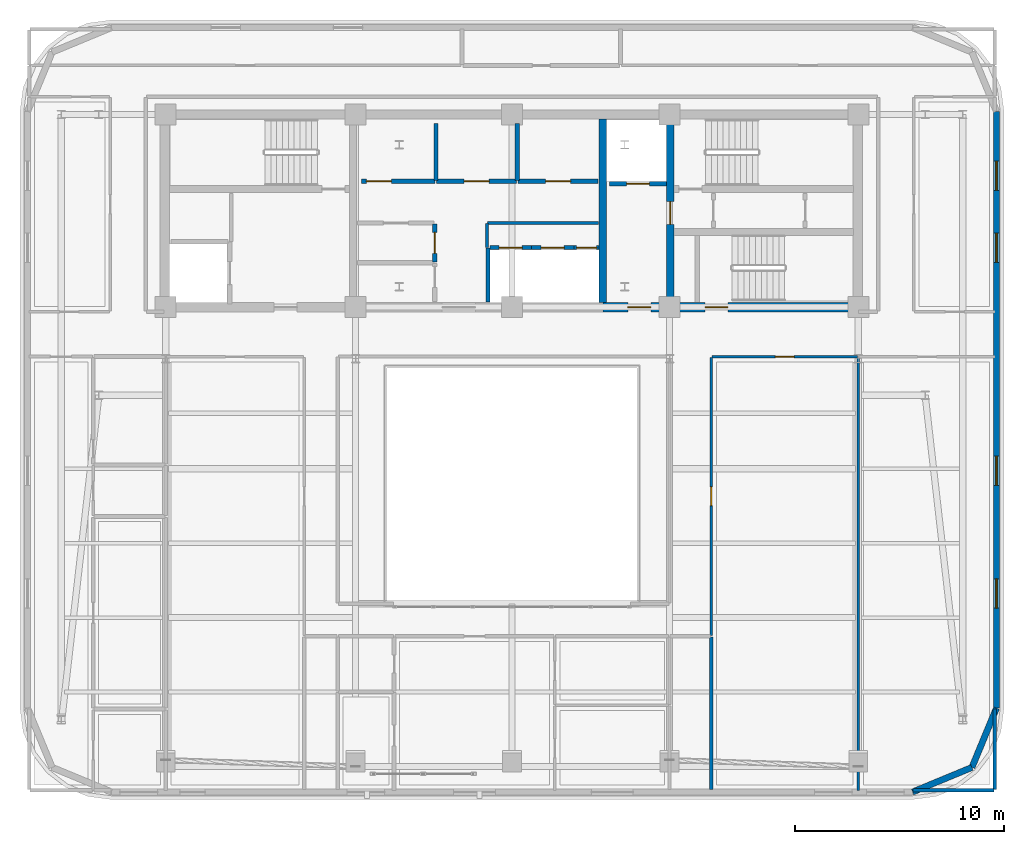
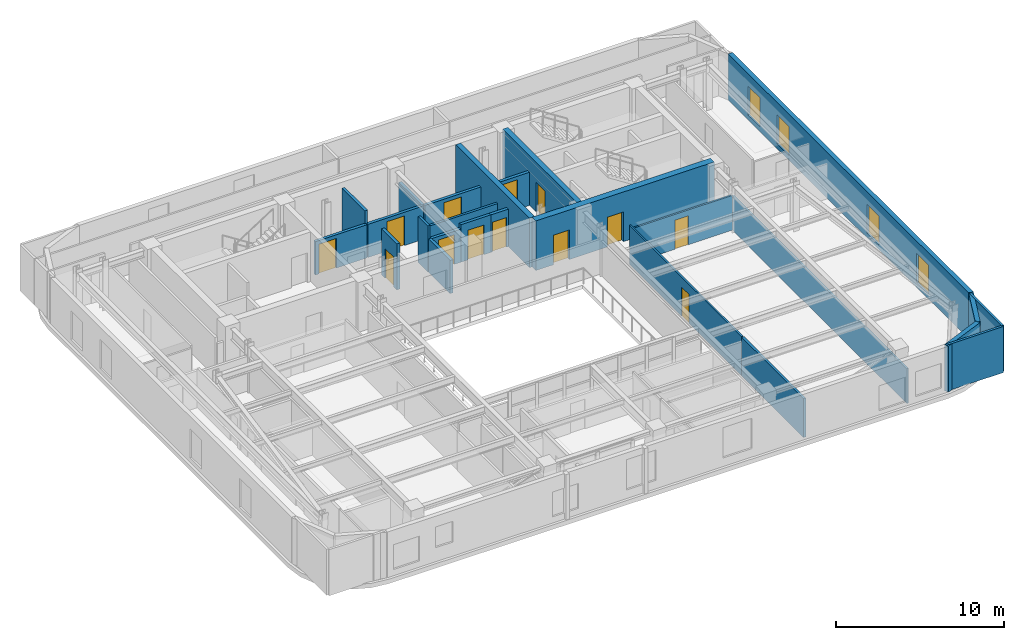
# One storey, part 8 of 14: 25 walls, 13 doors, 4 windows, 17 openings.
"""IFC4 building model written with IfcOpenShell, lengths in metres."""

from ifc_helpers import new_model, si_unit, direction, frame, frame_2d, origin, place, context, subcontext, project, spatial, rectangle, extrude, material, layer, layer_set, type_object, element, fill, save


model = new_model("IFC4")

# Units and contexts
model_context = context("Model", 3, precision=1e-05, world=origin(), true_north=direction((0.0, 1.0)))
body_context = subcontext(model_context, "Body", "Model", "MODEL_VIEW")
ifc_project = project(units=[si_unit("LENGTHUNIT", "METRE"), si_unit("AREAUNIT", "SQUARE_METRE"), si_unit("VOLUMEUNIT", "CUBIC_METRE"), si_unit("PLANEANGLEUNIT", "RADIAN"), si_unit("MASSUNIT", "GRAM", prefix="KILO")], contexts=[model_context])

# Site, building, storey
site_placement = place(None, origin())
site = spatial("IfcSite", under=ifc_project, at=site_placement, CompositionType="ELEMENT")
building_placement = place(site_placement, origin())
building = spatial("IfcBuilding", under=site, at=building_placement, Name="Zarnavel Station Tower", CompositionType="ELEMENT")
storey_placement = place(building_placement, frame((0.0, 0.0, 222.0)))
storey = spatial("IfcBuildingStorey", under=building, at=storey_placement, Name="L60", CompositionType="ELEMENT", Elevation=222.0)

# Wall
ifc_material_1 = material(Name="Concrete C50/60", Category="concrete")
ifc_layer_1 = layer(ifc_material_1, 0.35009765625)
ifc_layer_set_1 = layer_set([ifc_layer_1], Name="CW_350")
wall_type_1 = type_object("IfcWallType", Name="CW_350", PredefinedType="SHEAR", material=ifc_layer_set_1)
wall_1_placement = place(storey_placement, frame((33.14990234375, 28.044921875, 0.0), z_axis=(0.0, 0.0, 1.0), x_axis=(0.0, 1.0, 0.0)))
element("IfcWall", 1, at=wall_1_placement, inside=storey, type_object=wall_type_1, Name="L60 Rear Core Shear Wall DIV-E", PredefinedType="SHEAR", context=body_context, shape_type="SweptSolid", body=[
    extrude(rectangle(XDim=8.780029296875, YDim=0.35009765625, at=frame_2d((4.39013671875, 0.0))), origin(), (0.0, 0.0, 1.0), 3.60009765625),
])

# Wall, opening, door
wall_2_placement = place(storey_placement, frame((36.3798828125, 28.044921875, 0.0), z_axis=(0.0, 0.0, 1.0), x_axis=(0.0, 1.0, 0.0)))
wall_2 = element("IfcWall", 2, at=wall_2_placement, inside=storey, type_object=wall_type_1, Name="L60 Rear Core Shear Wall DIV-S2", PredefinedType="SHEAR", context=body_context, shape_type="SweptSolid", body=[
    extrude(rectangle(XDim=8.780029296875, YDim=0.35009765625, at=frame_2d((4.39013671875, 0.0))), origin(), (0.0, 0.0, 1.0), 3.60009765625),
])
opening_1_placement = place(wall_2_placement, frame((3.735107421875, 0.0, 0.0)))
opening_1 = element("IfcOpeningElement", 3, at=opening_1_placement, cuts=wall_2, Name="Opening FD01", PredefinedType="OPENING", context=body_context, shape_type="SweptSolid", body=[
    extrude(rectangle(XDim=1.10009765625, YDim=2.14990234375, at=frame_2d((0.550048828125, 1.074951171875))), frame((0.0, 0.18505859375, 0.0), z_axis=(0.0, -1.0, 0.0), x_axis=(1.0, 0.0, 0.0)), (0.0, 0.0, 1.0), 0.3701171875),
])
ifc_material_2 = material(Name="Painted Galvanised Steel and Hardwood Leaf", Category="steel")
door_type_1 = type_object("IfcDoorType", Name="ID_STAIR_1100", OperationType="NOTDEFINED", PredefinedType="DOOR", material=ifc_material_2)
door_1_placement = place(opening_1_placement, origin())
door_1 = element("IfcDoor", 4, at=door_1_placement, inside=storey, type_object=door_type_1, Name="L60 East Stair Vestibule Fire Door", OperationType="SINGLE_SWING_LEFT", OverallHeight=2.14990234375, OverallWidth=1.10009765625, PredefinedType="DOOR", context=body_context, shape_type="SweptSolid", body=[
    extrude(rectangle(XDim=1.10009765625, YDim=2.14990234375, at=frame_2d((0.550048828125, 1.074951171875))), frame((0.0, 0.02490234375, 0.0), z_axis=(0.0, -1.0, 0.0), x_axis=(1.0, 0.0, 0.0)), (0.0, 0.0, 1.0), 0.050048828125),
])
fill(opening_1, door_1)

# Wall, openings, doors
ifc_material_3 = material(Name="Concrete C50/60", Category="concrete")
ifc_layer_2 = layer(ifc_material_3, 0.449951171875)
ifc_layer_set_2 = layer_set([ifc_layer_2], Name="CW_450")
wall_type_2 = type_object("IfcWallType", Name="CW_450", PredefinedType="SHEAR", material=ifc_layer_set_2)
wall_3_placement = place(storey_placement, frame((45.3798828125, 27.820068359375, 0.0), z_axis=(0.0, 0.0, 1.0), x_axis=(-1.0, 0.0, 0.0)))
wall_3 = element("IfcWall", 5, at=wall_3_placement, inside=storey, type_object=wall_type_2, Name="L60 Rear Core Shear Wall S-E", PredefinedType="SHEAR", context=body_context, shape_type="SweptSolid", body=[
    extrude(rectangle(XDim=12.22998046875, YDim=0.449951171875, at=frame_2d((6.114990234375, 0.0))), origin(), (0.0, 0.0, 1.0), 3.60009765625),
])
opening_2_placement = place(wall_3_placement, frame((9.929931640625, 0.0, 0.0)))
opening_2 = element("IfcOpeningElement", 6, at=opening_2_placement, cuts=wall_3, Name="Opening FD01", PredefinedType="OPENING", context=body_context, shape_type="SweptSolid", body=[
    extrude(rectangle(XDim=1.10009765625, YDim=2.14990234375, at=frame_2d((0.550048828125, 1.074951171875))), frame((0.0, 0.23486328125, 0.0), z_axis=(0.0, -1.0, 0.0), x_axis=(1.0, 0.0, 0.0)), (0.0, 0.0, 1.0), 0.469970703125),
])
opening_3_placement = place(wall_3_placement, frame((6.22998046875, 0.0, 0.0)))
opening_3 = element("IfcOpeningElement", 7, at=opening_3_placement, cuts=wall_3, Name="Opening FD01", PredefinedType="OPENING", context=body_context, shape_type="SweptSolid", body=[
    extrude(rectangle(XDim=1.10009765625, YDim=2.14990234375, at=frame_2d((0.550048828125, 1.074951171875))), frame((0.0, 0.23486328125, 0.0), z_axis=(0.0, -1.0, 0.0), x_axis=(1.0, 0.0, 0.0)), (0.0, 0.0, 1.0), 0.469970703125),
])
door_2_placement = place(opening_2_placement, origin())
door_2 = element("IfcDoor", 8, at=door_2_placement, inside=storey, type_object=door_type_1, Name="L60 East Firefighting Lobby Door", OperationType="SINGLE_SWING_LEFT", OverallHeight=2.14990234375, OverallWidth=1.10009765625, PredefinedType="DOOR", context=body_context, shape_type="SweptSolid", body=[
    extrude(rectangle(XDim=1.10009765625, YDim=2.14990234375, at=frame_2d((0.550048828125, 1.074951171875))), frame((0.0, 0.02490234375, 0.0), z_axis=(0.0, -1.0, 0.0), x_axis=(1.0, 0.0, 0.0)), (0.0, 0.0, 1.0), 0.050048828125),
])
fill(opening_2, door_2)
door_3_placement = place(opening_3_placement, origin())
door_3 = element("IfcDoor", 9, at=door_3_placement, inside=storey, type_object=door_type_1, Name="L60 Stair ST3 Corridor Fire Door", OperationType="SINGLE_SWING_RIGHT", OverallHeight=2.14990234375, OverallWidth=1.10009765625, PredefinedType="DOOR", context=body_context, shape_type="SweptSolid", body=[
    extrude(rectangle(XDim=1.10009765625, YDim=2.14990234375, at=frame_2d((0.550048828125, 1.074951171875))), frame((0.0, 0.02490234375, 0.0), z_axis=(0.0, -1.0, 0.0), x_axis=(1.0, 0.0, 0.0)), (0.0, 0.0, 1.0), 0.050048828125),
])
fill(opening_3, door_3)

# Walls
ifc_material_4 = material(Name="Precast concrete C45/55 (Dark Basalt Finish)", Category="masonry")
ifc_layer_3 = layer(ifc_material_4, 0.300048828125)
ifc_layer_set_3 = layer_set([ifc_layer_3], Name="EW_BASALT_300")
wall_type_3 = type_object("IfcWallType", Name="EW_BASALT_300", PredefinedType="SOLIDWALL", material=ifc_layer_set_3)
wall_4_placement = place(storey_placement, frame((50.842529296875, 5.75732421875, 0.0), z_axis=(0.0, 0.0, 1.0), x_axis=(-0.92389884758, -0.382636798336, 0.0)))
element("IfcWall", 10, at=wall_4_placement, inside=storey, type_object=wall_type_3, Name="L60 Exterior Basalt Masonry Frame Wall 01", PredefinedType="SOLIDWALL", context=body_context, shape_type="SweptSolid", body=[
    extrude(rectangle(XDim=3.07666015625, YDim=0.300048828125, at=frame_2d((1.538330078125, 0.0))), origin(), (0.0, 0.0, 1.0), 3.340087890625),
])
wall_5_placement = place(storey_placement, frame((52.02001953125, 8.60009765625, 0.0), z_axis=(0.0, 0.0, 1.0), x_axis=(-0.382676475685, -0.923882414032, 0.0)))
element("IfcWall", 11, at=wall_5_placement, inside=storey, type_object=wall_type_3, Name="L60 Exterior Basalt Masonry Frame Wall 02", PredefinedType="SOLIDWALL", context=body_context, shape_type="SweptSolid", body=[
    extrude(rectangle(XDim=3.076904296875, YDim=0.300048828125, at=frame_2d((1.53857421875, 0.0))), origin(), (0.0, 0.0, 1.0), 3.340087890625),
])

# Wall, openings, windows
wall_6_placement = place(storey_placement, frame((52.02001953125, 37.199951171875, 0.0), z_axis=(0.0, 0.0, 1.0), x_axis=(0.0, -1.0, 0.0)))
wall_6 = element("IfcWall", 12, at=wall_6_placement, inside=storey, type_object=wall_type_3, Name="L60 Exterior Basalt Masonry Frame Wall 03", PredefinedType="SOLIDWALL", context=body_context, shape_type="SweptSolid", body=[
    extrude(rectangle(XDim=28.599853515625, YDim=0.300048828125, at=frame_2d((14.2998046875, 0.0))), origin(), (0.0, 0.0, 1.0), 3.340087890625),
])
opening_4_placement = place(wall_6_placement, frame((2.3798828125, 0.0, 0.340087890625)))
opening_4 = element("IfcOpeningElement", 13, at=opening_4_placement, cuts=wall_6, Name="Opening WN04", PredefinedType="OPENING", context=body_context, shape_type="SweptSolid", body=[
    extrude(rectangle(XDim=1.39990234375, YDim=2.10009765625, at=frame_2d((0.699951171875, 1.050048828125))), frame((0.0, 0.159912109375, 0.0), z_axis=(0.0, -1.0, 0.0), x_axis=(1.0, 0.0, 0.0)), (0.0, 0.0, 1.0), 0.320068359375),
])
opening_5_placement = place(wall_6_placement, frame((5.840087890625, 0.0, 0.340087890625)))
opening_5 = element("IfcOpeningElement", 14, at=opening_5_placement, cuts=wall_6, Name="Opening WN04", PredefinedType="OPENING", context=body_context, shape_type="SweptSolid", body=[
    extrude(rectangle(XDim=1.39990234375, YDim=2.10009765625, at=frame_2d((0.699951171875, 1.050048828125))), frame((0.0, 0.159912109375, 0.0), z_axis=(0.0, -1.0, 0.0), x_axis=(1.0, 0.0, 0.0)), (0.0, 0.0, 1.0), 0.320068359375),
])
opening_6_placement = place(wall_6_placement, frame((16.526611328125, 0.0, 0.340087890625)))
opening_6 = element("IfcOpeningElement", 15, at=opening_6_placement, cuts=wall_6, Name="Opening WN04", PredefinedType="OPENING", context=body_context, shape_type="SweptSolid", body=[
    extrude(rectangle(XDim=1.39990234375, YDim=2.10009765625, at=frame_2d((0.699951171875, 1.050048828125))), frame((0.0, 0.159912109375, 0.0), z_axis=(0.0, -1.0, 0.0), x_axis=(1.0, 0.0, 0.0)), (0.0, 0.0, 1.0), 0.320068359375),
])
opening_7_placement = place(wall_6_placement, frame((22.4033203125, 0.0, 0.340087890625)))
opening_7 = element("IfcOpeningElement", 16, at=opening_7_placement, cuts=wall_6, Name="Opening WN04", PredefinedType="OPENING", context=body_context, shape_type="SweptSolid", body=[
    extrude(rectangle(XDim=1.39990234375, YDim=2.10009765625, at=frame_2d((0.699951171875, 1.050048828125))), frame((0.0, 0.159912109375, 0.0), z_axis=(0.0, -1.0, 0.0), x_axis=(1.0, 0.0, 0.0)), (0.0, 0.0, 1.0), 0.320068359375),
])
ifc_material_5 = material(Name="Thermally Broken Black Aluminium and Low-E Dark Glass", Category="aluminium")
window_type = type_object("IfcWindowType", Name="WN_1400x2100", PartitioningType="DOUBLE_PANEL_VERTICAL", PredefinedType="WINDOW", material=ifc_material_5)
window_1_placement = place(opening_4_placement, origin())
window_1 = element("IfcWindow", 17, at=window_1_placement, inside=storey, type_object=window_type, Name="L60 Recessed Facade Window 01", OverallHeight=2.10009765625, OverallWidth=1.39990234375, PartitioningType="SINGLE_PANEL", PredefinedType="WINDOW", context=body_context, shape_type="SweptSolid", body=[
    extrude(rectangle(XDim=1.39990234375, YDim=2.10009765625, at=frame_2d((0.699951171875, 1.050048828125))), frame((0.0, 0.030029296875, 0.0), z_axis=(0.0, -1.0, 0.0), x_axis=(1.0, 0.0, 0.0)), (0.0, 0.0, 1.0), 0.06005859375),
])
fill(opening_4, window_1)
window_2_placement = place(opening_5_placement, origin())
window_2 = element("IfcWindow", 18, at=window_2_placement, inside=storey, type_object=window_type, Name="L60 Recessed Facade Window 02", OverallHeight=2.10009765625, OverallWidth=1.39990234375, PartitioningType="SINGLE_PANEL", PredefinedType="WINDOW", context=body_context, shape_type="SweptSolid", body=[
    extrude(rectangle(XDim=1.39990234375, YDim=2.10009765625, at=frame_2d((0.699951171875, 1.050048828125))), frame((0.0, 0.030029296875, 0.0), z_axis=(0.0, -1.0, 0.0), x_axis=(1.0, 0.0, 0.0)), (0.0, 0.0, 1.0), 0.06005859375),
])
fill(opening_5, window_2)
window_3_placement = place(opening_6_placement, origin())
window_3 = element("IfcWindow", 19, at=window_3_placement, inside=storey, type_object=window_type, Name="L60 Recessed Facade Window 03", OverallHeight=2.10009765625, OverallWidth=1.39990234375, PartitioningType="SINGLE_PANEL", PredefinedType="WINDOW", context=body_context, shape_type="SweptSolid", body=[
    extrude(rectangle(XDim=1.39990234375, YDim=2.10009765625, at=frame_2d((0.699951171875, 1.050048828125))), frame((0.0, 0.030029296875, 0.0), z_axis=(0.0, -1.0, 0.0), x_axis=(1.0, 0.0, 0.0)), (0.0, 0.0, 1.0), 0.06005859375),
])
fill(opening_6, window_3)
window_4_placement = place(opening_7_placement, origin())
window_4 = element("IfcWindow", 20, at=window_4_placement, inside=storey, type_object=window_type, Name="L60 Recessed Facade Window 04", OverallHeight=2.10009765625, OverallWidth=1.39990234375, PartitioningType="SINGLE_PANEL", PredefinedType="WINDOW", context=body_context, shape_type="SweptSolid", body=[
    extrude(rectangle(XDim=1.39990234375, YDim=2.10009765625, at=frame_2d((0.699951171875, 1.050048828125))), frame((0.0, 0.030029296875, 0.0), z_axis=(0.0, -1.0, 0.0), x_axis=(1.0, 0.0, 0.0)), (0.0, 0.0, 1.0), 0.06005859375),
])
fill(opening_7, window_4)

# Walls
ifc_material_6 = material(Name="Gypsum Twin-Stud Acoustic Fire Partition", Category="concrete")
ifc_layer_4 = layer(ifc_material_6, 0.159912109375)
ifc_layer_set_4 = layer_set([ifc_layer_4], Name="PT_DEMISE_160")
wall_type_4 = type_object("IfcWallType", Name="PT_DEMISE_160", PredefinedType="PARTITIONING", material=ifc_layer_set_4)
wall_7_placement = place(storey_placement, frame((27.6298828125, 31.85009765625, 0.0), z_axis=(0.0, 0.0, 1.0), x_axis=(1.0, 0.0, 0.0)))
element("IfcWall", 21, at=wall_7_placement, inside=storey, type_object=wall_type_4, Name="L60 Enclosure Wall LLOB", PredefinedType="PARTITIONING", context=body_context, shape_type="SweptSolid", body=[
    extrude(rectangle(XDim=5.31005859375, YDim=0.159912109375, at=frame_2d((2.655029296875, 0.0))), origin(), (0.0, 0.0, 1.0), 2.409912109375),
])
wall_8_placement = place(storey_placement, frame((27.60009765625, 30.679931640625, 0.0), z_axis=(0.0, 0.0, 1.0), x_axis=(0.0, 1.0, 0.0)))
element("IfcWall", 22, at=wall_8_placement, inside=storey, type_object=wall_type_4, Name="L60 Enclosure Wall LLOBS", PredefinedType="PARTITIONING", context=body_context, shape_type="SweptSolid", body=[
    extrude(rectangle(XDim=1.14013671875, YDim=0.159912109375, at=frame_2d((0.570068359375, 0.0))), origin(), (0.0, 0.0, 1.0), 3.340087890625),
])
wall_9_placement = place(storey_placement, frame((38.35009765625, 4.68994140625, 0.0), z_axis=(0.0, 0.0, 1.0), x_axis=(0.0, 1.0, 0.0)))
element("IfcWall", 23, at=wall_9_placement, inside=storey, type_object=wall_type_4, Name="L60 Enclosure Wall L59SPA", PredefinedType="PARTITIONING", context=body_context, shape_type="SweptSolid", body=[
    extrude(rectangle(XDim=7.330078125, YDim=0.159912109375, at=frame_2d((3.6650390625, 0.0))), origin(), (0.0, 0.0, 1.0), 2.820068359375),
])
wall_10_placement = place(storey_placement, frame((48.030029296875, 4.659912109375, 0.0), z_axis=(0.0, 0.0, 1.0), x_axis=(1.0, 0.0, 0.0)))
element("IfcWall", 24, at=wall_10_placement, inside=storey, type_object=wall_type_4, Name="L60 Enclosure Wall L59TEA", PredefinedType="PARTITIONING", context=body_context, shape_type="SweptSolid", body=[
    extrude(rectangle(XDim=3.8798828125, YDim=0.159912109375, at=frame_2d((1.93994140625, 0.0))), origin(), (0.0, 0.0, 1.0), 3.340087890625),
])
wall_11_placement = place(storey_placement, frame((51.93994140625, 4.68994140625, 0.0), z_axis=(0.0, 0.0, 1.0), x_axis=(0.0, 1.0, 0.0)))
element("IfcWall", 25, at=wall_11_placement, inside=storey, type_object=wall_type_4, Name="L60 Enclosure Wall L59TEA", PredefinedType="PARTITIONING", context=body_context, shape_type="SweptSolid", body=[
    extrude(rectangle(XDim=3.880126953125, YDim=0.159912109375, at=frame_2d((1.93994140625, 0.0))), origin(), (0.0, 0.0, 1.0), 3.340087890625),
])

# Wall, opening, door
ifc_material_7 = material(Name="Gypsum Metal-Stud Interior Partition", Category="concrete")
ifc_layer_5 = layer(ifc_material_7, 0.1201171875)
ifc_layer_set_5 = layer_set([ifc_layer_5], Name="PT_ROOM_120")
wall_type_5 = type_object("IfcWallType", Name="PT_ROOM_120", PredefinedType="PARTITIONING", material=ifc_layer_set_5)
wall_12_placement = place(storey_placement, frame((38.389892578125, 25.449951171875, 0.0), z_axis=(0.0, 0.0, 1.0), x_axis=(1.0, 0.0, 0.0)))
wall_12 = element("IfcWall", 26, at=wall_12_placement, inside=storey, type_object=wall_type_5, Name="L60 Partition COR-S-L59SPA", PredefinedType="PARTITIONING", context=body_context, shape_type="SweptSolid", body=[
    extrude(rectangle(XDim=6.97021484375, YDim=0.1201171875, at=frame_2d((3.485107421875, 0.0))), origin(), (0.0, 0.0, 1.0), 2.52001953125),
])
opening_8_placement = place(wall_12_placement, frame((3.034912109375, 0.0, 0.0)))
opening_8 = element("IfcOpeningElement", 27, at=opening_8_placement, cuts=wall_12, Name="Opening ID01", PredefinedType="OPENING", context=body_context, shape_type="SweptSolid", body=[
    extrude(rectangle(XDim=0.89990234375, YDim=2.10009765625, at=frame_2d((0.449951171875, 1.050048828125))), frame((0.0, 0.070068359375, 0.0), z_axis=(0.0, -1.0, 0.0), x_axis=(1.0, 0.0, 0.0)), (0.0, 0.0, 1.0), 0.14013671875),
])
ifc_material_8 = material(Name="Painted Galvanised Steel and Hardwood Leaf", Category="steel")
door_type_2 = type_object("IfcDoorType", Name="ID_ROOM_900", OperationType="NOTDEFINED", PredefinedType="DOOR", material=ifc_material_8)
door_4_placement = place(opening_8_placement, origin())
door_4 = element("IfcDoor", 28, at=door_4_placement, inside=storey, type_object=door_type_2, Name="L60 Door COR-S-L59SPA", OperationType="SINGLE_SWING_RIGHT", OverallHeight=2.10009765625, OverallWidth=0.89990234375, PredefinedType="DOOR", context=body_context, shape_type="SweptSolid", body=[
    extrude(rectangle(XDim=0.89990234375, YDim=2.10009765625, at=frame_2d((0.449951171875, 1.050048828125))), frame((0.0, 0.02490234375, 0.0), z_axis=(0.0, -1.0, 0.0), x_axis=(1.0, 0.0, 0.0)), (0.0, 0.0, 1.0), 0.050048828125),
])
fill(opening_8, door_4)

wall_13_placement = place(storey_placement, frame((38.35009765625, 12.090087890625, 0.0), z_axis=(0.0, 0.0, 1.0), x_axis=(0.0, 1.0, 0.0)))
wall_13 = element("IfcWall", 29, at=wall_13_placement, inside=storey, type_object=wall_type_5, Name="L60 Partition COR-AE-L59SPA", PredefinedType="PARTITIONING", context=body_context, shape_type="SweptSolid", body=[
    extrude(rectangle(XDim=13.31982421875, YDim=0.1201171875, at=frame_2d((6.659912109375, 0.0))), origin(), (0.0, 0.0, 1.0), 2.820068359375),
])
opening_9_placement = place(wall_13_placement, frame((6.2099609375, 0.0, 0.0)))
opening_9 = element("IfcOpeningElement", 30, at=opening_9_placement, cuts=wall_13, Name="Opening ID01", PredefinedType="OPENING", context=body_context, shape_type="SweptSolid", body=[
    extrude(rectangle(XDim=0.89990234375, YDim=2.10009765625, at=frame_2d((0.449951171875, 1.050048828125))), frame((0.0, 0.070068359375, 0.0), z_axis=(0.0, -1.0, 0.0), x_axis=(1.0, 0.0, 0.0)), (0.0, 0.0, 1.0), 0.14013671875),
])
door_5_placement = place(opening_9_placement, origin())
door_5 = element("IfcDoor", 31, at=door_5_placement, inside=storey, type_object=door_type_2, Name="L60 Door COR-AE-L59SPA", OperationType="SINGLE_SWING_LEFT", OverallHeight=2.10009765625, OverallWidth=0.89990234375, PredefinedType="DOOR", context=body_context, shape_type="SweptSolid", body=[
    extrude(rectangle(XDim=0.89990234375, YDim=2.10009765625, at=frame_2d((0.449951171875, 1.050048828125))), frame((0.0, 0.02490234375, 0.0), z_axis=(0.0, -1.0, 0.0), x_axis=(1.0, 0.0, 0.0)), (0.0, 0.0, 1.0), 0.050048828125),
])
fill(opening_9, door_5)

# Wall
wall_14_placement = place(storey_placement, frame((45.39990234375, 4.659912109375, 0.0), z_axis=(0.0, 0.0, 1.0), x_axis=(0.0, 1.0, 0.0)))
element("IfcWall", 32, at=wall_14_placement, inside=storey, type_object=wall_type_5, Name="L60 Partition L59SPA-L59TEA", PredefinedType="PARTITIONING", context=body_context, shape_type="SweptSolid", body=[
    extrude(rectangle(XDim=20.75, YDim=0.1201171875, at=frame_2d((10.375, 0.0))), origin(), (0.0, 0.0, 1.0), 2.52001953125),
])

# Wall, opening, door
ifc_material_9 = material(Name="Precast concrete C45/55 (Fire Shaft Blockwork)", Category="masonry")
ifc_layer_6 = layer(ifc_material_9, 0.199951171875)
ifc_layer_set_6 = layer_set([ifc_layer_6], Name="PT_SHAFT_200")
wall_type_6 = type_object("IfcWallType", Name="PT_SHAFT_200", PredefinedType="PARTITIONING", material=ifc_layer_set_6)
wall_15_placement = place(storey_placement, frame((33.47509765625, 33.72998046875, 0.0), z_axis=(0.0, 0.0, 1.0), x_axis=(1.0, 0.0, 0.0)))
wall_15 = element("IfcWall", 33, at=wall_15_placement, inside=storey, type_object=wall_type_6, Name="L60 Lift FFL-02 Shaft Front Wall", PredefinedType="PARTITIONING", context=body_context, shape_type="SweptSolid", body=[
    extrude(rectangle(XDim=2.724853515625, YDim=0.199951171875, at=frame_2d((1.3623046875, 0.0))), origin(), (0.0, 0.0, 1.0), 2.409912109375),
])
opening_10_placement = place(wall_15_placement, frame((0.8125, 0.0, 0.0)))
opening_10 = element("IfcOpeningElement", 34, at=opening_10_placement, cuts=wall_15, Name="Opening LD01", PredefinedType="OPENING", context=body_context, shape_type="SweptSolid", body=[
    extrude(rectangle(XDim=1.10009765625, YDim=2.14990234375, at=frame_2d((0.550048828125, 1.074951171875))), frame((0.0, 0.10986328125, 0.0), z_axis=(0.0, -1.0, 0.0), x_axis=(1.0, 0.0, 0.0)), (0.0, 0.0, 1.0), 0.219970703125),
])
ifc_material_10 = material(Name="Painted Galvanised Steel and Hardwood Leaf", Category="steel")
door_type_3 = type_object("IfcDoorType", Name="LD_FF_1100", OperationType="DOUBLE_DOOR_SLIDING", PredefinedType="DOOR", material=ifc_material_10)
door_6_placement = place(opening_10_placement, origin())
door_6 = element("IfcDoor", 35, at=door_6_placement, inside=storey, type_object=door_type_3, Name="L60 Lift FFL-02 Sliding Landing Door", OperationType="DOUBLE_DOOR_SLIDING", OverallHeight=2.14990234375, OverallWidth=1.10009765625, PredefinedType="DOOR", context=body_context, shape_type="SweptSolid", body=[
    extrude(rectangle(XDim=1.10009765625, YDim=2.14990234375, at=frame_2d((0.550048828125, 1.074951171875))), frame((0.0, 0.02490234375, 0.0), z_axis=(0.0, -1.0, 0.0), x_axis=(1.0, 0.0, 0.0)), (0.0, 0.0, 1.0), 0.050048828125),
])
fill(opening_10, door_6)

wall_16_placement = place(storey_placement, frame((27.75, 30.669921875, 0.0), z_axis=(0.0, 0.0, 1.0), x_axis=(1.0, 0.0, 0.0)))
wall_16 = element("IfcWall", 36, at=wall_16_placement, inside=storey, type_object=wall_type_6, Name="L60 Lift PL-H1 Shaft Front Wall", PredefinedType="PARTITIONING", context=body_context, shape_type="SweptSolid", body=[
    extrude(rectangle(XDim=1.97509765625, YDim=0.199951171875, at=frame_2d((0.987548828125, 0.0))), origin(), (0.0, 0.0, 1.0), 2.409912109375),
])
opening_11_placement = place(wall_16_placement, frame((0.4375, 0.0, 0.0)))
opening_11 = element("IfcOpeningElement", 37, at=opening_11_placement, cuts=wall_16, Name="Opening LD02", PredefinedType="OPENING", context=body_context, shape_type="SweptSolid", body=[
    extrude(rectangle(XDim=1.10009765625, YDim=2.14990234375, at=frame_2d((0.550048828125, 1.074951171875))), frame((0.0, 0.10986328125, 0.0), z_axis=(0.0, -1.0, 0.0), x_axis=(1.0, 0.0, 0.0)), (0.0, 0.0, 1.0), 0.219970703125),
])
ifc_material_11 = material(Name="Painted Galvanised Steel and Hardwood Leaf", Category="steel")
door_type_4 = type_object("IfcDoorType", Name="LD_PAX_1100", OperationType="DOUBLE_DOOR_SLIDING", PredefinedType="DOOR", material=ifc_material_11)
door_7_placement = place(opening_11_placement, origin())
door_7 = element("IfcDoor", 38, at=door_7_placement, inside=storey, type_object=door_type_4, Name="L60 Lift PL-H1 Sliding Landing Door", OperationType="DOUBLE_DOOR_SLIDING", OverallHeight=2.14990234375, OverallWidth=1.10009765625, PredefinedType="DOOR", context=body_context, shape_type="SweptSolid", body=[
    extrude(rectangle(XDim=1.10009765625, YDim=2.14990234375, at=frame_2d((0.550048828125, 1.074951171875))), frame((0.0, 0.02490234375, 0.0), z_axis=(0.0, -1.0, 0.0), x_axis=(1.0, 0.0, 0.0)), (0.0, 0.0, 1.0), 0.050048828125),
])
fill(opening_11, door_7)

# Wall
wall_17_placement = place(storey_placement, frame((27.64990234375, 28.070068359375, 0.0), z_axis=(0.0, 0.0, 1.0), x_axis=(0.0, 1.0, 0.0)))
element("IfcWall", 39, at=wall_17_placement, inside=storey, type_object=wall_type_6, Name="L60 High-Rise Lift Bank West Shaft Wall", PredefinedType="PARTITIONING", context=body_context, shape_type="SweptSolid", body=[
    extrude(rectangle(XDim=2.579833984375, YDim=0.199951171875, at=frame_2d((1.2900390625, 0.0))), origin(), (0.0, 0.0, 1.0), 2.409912109375),
])

# Wall, opening, door
wall_18_placement = place(storey_placement, frame((29.72509765625, 30.669921875, 0.0), z_axis=(0.0, 0.0, 1.0), x_axis=(1.0, 0.0, 0.0)))
wall_18 = element("IfcWall", 40, at=wall_18_placement, inside=storey, type_object=wall_type_6, Name="L60 Lift PL-H2 Shaft Front Wall", PredefinedType="PARTITIONING", context=body_context, shape_type="SweptSolid", body=[
    extrude(rectangle(XDim=2.0498046875, YDim=0.199951171875, at=frame_2d((1.02490234375, 0.0))), origin(), (0.0, 0.0, 1.0), 2.719970703125),
])
opening_12_placement = place(wall_18_placement, frame((0.47509765625, 0.0, 0.0)))
opening_12 = element("IfcOpeningElement", 41, at=opening_12_placement, cuts=wall_18, Name="Opening LD02", PredefinedType="OPENING", context=body_context, shape_type="SweptSolid", body=[
    extrude(rectangle(XDim=1.10009765625, YDim=2.14990234375, at=frame_2d((0.550048828125, 1.074951171875))), frame((0.0, 0.10986328125, 0.0), z_axis=(0.0, -1.0, 0.0), x_axis=(1.0, 0.0, 0.0)), (0.0, 0.0, 1.0), 0.219970703125),
])
door_8_placement = place(opening_12_placement, origin())
door_8 = element("IfcDoor", 42, at=door_8_placement, inside=storey, type_object=door_type_4, Name="L60 Lift PL-H2 Sliding Landing Door", OperationType="DOUBLE_DOOR_SLIDING", OverallHeight=2.14990234375, OverallWidth=1.10009765625, PredefinedType="DOOR", context=body_context, shape_type="SweptSolid", body=[
    extrude(rectangle(XDim=1.10009765625, YDim=2.14990234375, at=frame_2d((0.550048828125, 1.074951171875))), frame((0.0, 0.02490234375, 0.0), z_axis=(0.0, -1.0, 0.0), x_axis=(1.0, 0.0, 0.0)), (0.0, 0.0, 1.0), 0.050048828125),
])
fill(opening_12, door_8)

wall_19_placement = place(storey_placement, frame((31.77490234375, 30.669921875, 0.0), z_axis=(0.0, 0.0, 1.0), x_axis=(1.0, 0.0, 0.0)))
wall_19 = element("IfcWall", 43, at=wall_19_placement, inside=storey, type_object=wall_type_6, Name="L60 Lift PL-H3 Shaft Front Wall", PredefinedType="PARTITIONING", context=body_context, shape_type="SweptSolid", body=[
    extrude(rectangle(XDim=1.2001953125, YDim=0.199951171875, at=frame_2d((0.60009765625, 0.0))), origin(), (0.0, 0.0, 1.0), 2.719970703125),
])
opening_13_placement = place(wall_19_placement, frame((0.125, 0.0, 0.0)))
opening_13 = element("IfcOpeningElement", 44, at=opening_13_placement, cuts=wall_19, Name="Opening LD03", PredefinedType="OPENING", context=body_context, shape_type="SweptSolid", body=[
    extrude(rectangle(XDim=0.949951171875, YDim=2.14990234375, at=frame_2d((0.47509765625, 1.074951171875))), frame((0.0, 0.10986328125, 0.0), z_axis=(0.0, -1.0, 0.0), x_axis=(1.0, 0.0, 0.0)), (0.0, 0.0, 1.0), 0.219970703125),
])
ifc_material_12 = material(Name="Painted Galvanised Steel and Hardwood Leaf", Category="steel")
door_type_5 = type_object("IfcDoorType", Name="LD_PAX_0950", OperationType="DOUBLE_DOOR_SLIDING", PredefinedType="DOOR", material=ifc_material_12)
door_9_placement = place(opening_13_placement, origin())
door_9 = element("IfcDoor", 45, at=door_9_placement, inside=storey, type_object=door_type_5, Name="L60 Lift PL-H3 Sliding Landing Door", OperationType="DOUBLE_DOOR_SLIDING", OverallHeight=2.14990234375, OverallWidth=0.949951171875, PredefinedType="DOOR", context=body_context, shape_type="SweptSolid", body=[
    extrude(rectangle(XDim=0.949951171875, YDim=2.14990234375, at=frame_2d((0.47509765625, 1.074951171875))), frame((0.0, 0.02490234375, 0.0), z_axis=(0.0, -1.0, 0.0), x_axis=(1.0, 0.0, 0.0)), (0.0, 0.0, 1.0), 0.050048828125),
])
fill(opening_13, door_9)

wall_20_placement = place(storey_placement, frame((21.590087890625, 33.85009765625, 0.0), z_axis=(0.0, 0.0, 1.0), x_axis=(1.0, 0.0, 0.0)))
wall_20 = element("IfcWall", 46, at=wall_20_placement, inside=storey, type_object=wall_type_6, Name="L60 Partition LLOB-FB2A", PredefinedType="PARTITIONING", context=body_context, shape_type="SweptSolid", body=[
    extrude(rectangle(XDim=3.52001953125, YDim=0.199951171875, at=frame_2d((1.760009765625, 0.0))), origin(), (0.0, 0.0, 1.0), 2.409912109375),
])
opening_14_placement = place(wall_20_placement, frame((0.22509765625, 0.0, 0.0)))
opening_14 = element("IfcOpeningElement", 47, at=opening_14_placement, cuts=wall_20, Name="Opening FD03", PredefinedType="OPENING", context=body_context, shape_type="SweptSolid", body=[
    extrude(rectangle(XDim=1.199951171875, YDim=2.14990234375, at=frame_2d((0.60009765625, 1.074951171875))), frame((0.0, 0.10986328125, 0.0), z_axis=(0.0, -1.0, 0.0), x_axis=(1.0, 0.0, 0.0)), (0.0, 0.0, 1.0), 0.219970703125),
])
ifc_material_13 = material(Name="Painted Galvanised Steel and Hardwood Leaf", Category="steel")
door_type_6 = type_object("IfcDoorType", Name="ID_PLANT_1200", OperationType="NOTDEFINED", PredefinedType="DOOR", material=ifc_material_13)
door_10_placement = place(opening_14_placement, origin())
door_10 = element("IfcDoor", 48, at=door_10_placement, inside=storey, type_object=door_type_6, Name="L60 Door LLOB-FB2A", OperationType="SINGLE_SWING_LEFT", OverallHeight=2.14990234375, OverallWidth=1.199951171875, PredefinedType="DOOR", context=body_context, shape_type="SweptSolid", body=[
    extrude(rectangle(XDim=1.199951171875, YDim=2.14990234375, at=frame_2d((0.60009765625, 1.074951171875))), frame((0.0, 0.02490234375, 0.0), z_axis=(0.0, -1.0, 0.0), x_axis=(1.0, 0.0, 0.0)), (0.0, 0.0, 1.0), 0.050048828125),
])
fill(opening_14, door_10)

wall_21_placement = place(storey_placement, frame((25.18994140625, 33.85009765625, 0.0), z_axis=(0.0, 0.0, 1.0), x_axis=(1.0, 0.0, 0.0)))
wall_21 = element("IfcWall", 49, at=wall_21_placement, inside=storey, type_object=wall_type_6, Name="L60 Partition LLOB-FB2B", PredefinedType="PARTITIONING", context=body_context, shape_type="SweptSolid", body=[
    extrude(rectangle(XDim=3.820068359375, YDim=0.199951171875, at=frame_2d((1.91015625, 0.0))), origin(), (0.0, 0.0, 1.0), 2.409912109375),
])
opening_15_placement = place(wall_21_placement, frame((1.31005859375, 0.0, 0.0)))
opening_15 = element("IfcOpeningElement", 50, at=opening_15_placement, cuts=wall_21, Name="Opening FD03", PredefinedType="OPENING", context=body_context, shape_type="SweptSolid", body=[
    extrude(rectangle(XDim=1.199951171875, YDim=2.14990234375, at=frame_2d((0.60009765625, 1.074951171875))), frame((0.0, 0.10986328125, 0.0), z_axis=(0.0, -1.0, 0.0), x_axis=(1.0, 0.0, 0.0)), (0.0, 0.0, 1.0), 0.219970703125),
])
door_11_placement = place(opening_15_placement, origin())
door_11 = element("IfcDoor", 51, at=door_11_placement, inside=storey, type_object=door_type_6, Name="L60 Door LLOB-FB2B", OperationType="SINGLE_SWING_RIGHT", OverallHeight=2.14990234375, OverallWidth=1.199951171875, PredefinedType="DOOR", context=body_context, shape_type="SweptSolid", body=[
    extrude(rectangle(XDim=1.199951171875, YDim=2.14990234375, at=frame_2d((0.60009765625, 1.074951171875))), frame((0.0, 0.02490234375, 0.0), z_axis=(0.0, -1.0, 0.0), x_axis=(1.0, 0.0, 0.0)), (0.0, 0.0, 1.0), 0.050048828125),
])
fill(opening_15, door_11)

wall_22_placement = place(storey_placement, frame((29.090087890625, 33.85009765625, 0.0), z_axis=(0.0, 0.0, 1.0), x_axis=(1.0, 0.0, 0.0)))
wall_22 = element("IfcWall", 52, at=wall_22_placement, inside=storey, type_object=wall_type_6, Name="L60 Partition LLOB-FB2C", PredefinedType="PARTITIONING", context=body_context, shape_type="SweptSolid", body=[
    extrude(rectangle(XDim=3.83984375, YDim=0.199951171875, at=frame_2d((1.919921875, 0.0))), origin(), (0.0, 0.0, 1.0), 2.409912109375),
])
opening_16_placement = place(wall_22_placement, frame((1.320068359375, 0.0, 0.0)))
opening_16 = element("IfcOpeningElement", 53, at=opening_16_placement, cuts=wall_22, Name="Opening FD03", PredefinedType="OPENING", context=body_context, shape_type="SweptSolid", body=[
    extrude(rectangle(XDim=1.199951171875, YDim=2.14990234375, at=frame_2d((0.60009765625, 1.074951171875))), frame((0.0, 0.10986328125, 0.0), z_axis=(0.0, -1.0, 0.0), x_axis=(1.0, 0.0, 0.0)), (0.0, 0.0, 1.0), 0.219970703125),
])
door_12_placement = place(opening_16_placement, origin())
door_12 = element("IfcDoor", 54, at=door_12_placement, inside=storey, type_object=door_type_6, Name="L60 Door LLOB-FB2C", OperationType="SINGLE_SWING_LEFT", OverallHeight=2.14990234375, OverallWidth=1.199951171875, PredefinedType="DOOR", context=body_context, shape_type="SweptSolid", body=[
    extrude(rectangle(XDim=1.199951171875, YDim=2.14990234375, at=frame_2d((0.60009765625, 1.074951171875))), frame((0.0, 0.02490234375, 0.0), z_axis=(0.0, -1.0, 0.0), x_axis=(1.0, 0.0, 0.0)), (0.0, 0.0, 1.0), 0.050048828125),
])
fill(opening_16, door_12)

wall_23_placement = place(storey_placement, frame((25.10009765625, 29.989990234375, 0.0), z_axis=(0.0, 0.0, 1.0), x_axis=(0.0, 1.0, 0.0)))
wall_23 = element("IfcWall", 55, at=wall_23_placement, inside=storey, type_object=wall_type_6, Name="L60 Partition LLOBS-CS2", PredefinedType="PARTITIONING", context=body_context, shape_type="SweptSolid", body=[
    extrude(rectangle(XDim=1.820068359375, YDim=0.199951171875, at=frame_2d((0.91015625, 0.0))), origin(), (0.0, 0.0, 1.0), 3.340087890625),
])
opening_17_placement = place(wall_23_placement, frame((0.409912109375, 0.0, 0.0)))
opening_17 = element("IfcOpeningElement", 56, at=opening_17_placement, cuts=wall_23, Name="Opening FD02", PredefinedType="OPENING", context=body_context, shape_type="SweptSolid", body=[
    extrude(rectangle(XDim=1.0, YDim=2.14990234375, at=frame_2d((0.5, 1.074951171875))), frame((0.0, 0.10986328125, 0.0), z_axis=(0.0, -1.0, 0.0), x_axis=(1.0, 0.0, 0.0)), (0.0, 0.0, 1.0), 0.219970703125),
])
ifc_material_14 = material(Name="Painted Galvanised Steel and Hardwood Leaf", Category="steel")
door_type_7 = type_object("IfcDoorType", Name="ID_ENTRY_1000", OperationType="NOTDEFINED", PredefinedType="DOOR", material=ifc_material_14)
door_13_placement = place(opening_17_placement, origin())
door_13 = element("IfcDoor", 57, at=door_13_placement, inside=storey, type_object=door_type_7, Name="L60 Door LLOBS-CS2", OperationType="SINGLE_SWING_LEFT", OverallHeight=2.14990234375, OverallWidth=1.0, PredefinedType="DOOR", context=body_context, shape_type="SweptSolid", body=[
    extrude(rectangle(XDim=1.0, YDim=2.14990234375, at=frame_2d((0.5, 1.074951171875))), frame((0.0, 0.02490234375, 0.0), z_axis=(0.0, -1.0, 0.0), x_axis=(1.0, 0.0, 0.0)), (0.0, 0.0, 1.0), 0.050048828125),
])
fill(opening_17, door_13)

# Walls
wall_24_placement = place(storey_placement, frame((25.14990234375, 33.889892578125, 0.0), z_axis=(0.0, 0.0, 1.0), x_axis=(0.0, 1.0, 0.0)))
element("IfcWall", 58, at=wall_24_placement, inside=storey, type_object=wall_type_6, Name="L60 Partition FB2A-FB2B", PredefinedType="PARTITIONING", context=body_context, shape_type="SweptSolid", body=[
    extrude(rectangle(XDim=2.72021484375, YDim=0.199951171875, at=frame_2d((1.360107421875, 0.0))), origin(), (0.0, 0.0, 1.0), 3.340087890625),
])
wall_25_placement = place(storey_placement, frame((29.050048828125, 33.889892578125, 0.0), z_axis=(0.0, 0.0, 1.0), x_axis=(0.0, 1.0, 0.0)))
element("IfcWall", 59, at=wall_25_placement, inside=storey, type_object=wall_type_6, Name="L60 Partition FB2B-FB2C", PredefinedType="PARTITIONING", context=body_context, shape_type="SweptSolid", body=[
    extrude(rectangle(XDim=2.72021484375, YDim=0.199951171875, at=frame_2d((1.360107421875, 0.0))), origin(), (0.0, 0.0, 1.0), 2.409912109375),
])

save(model, "model.ifc")
